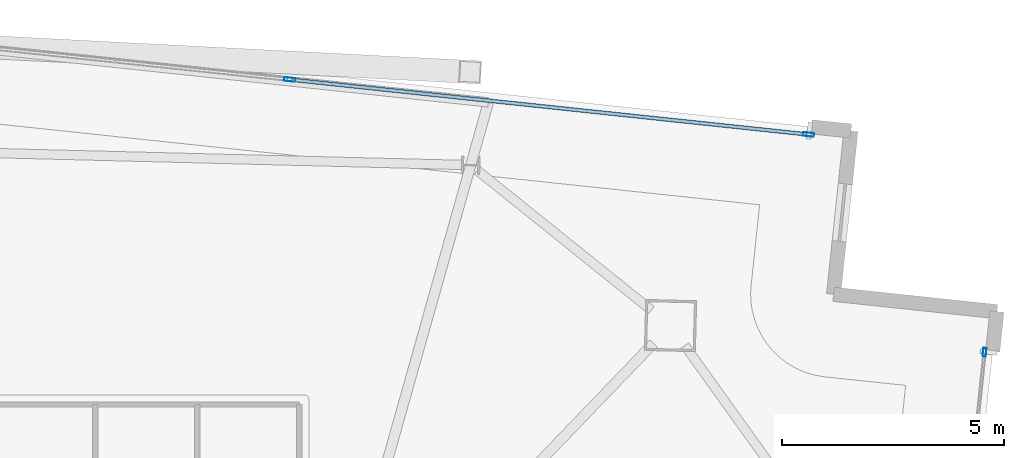
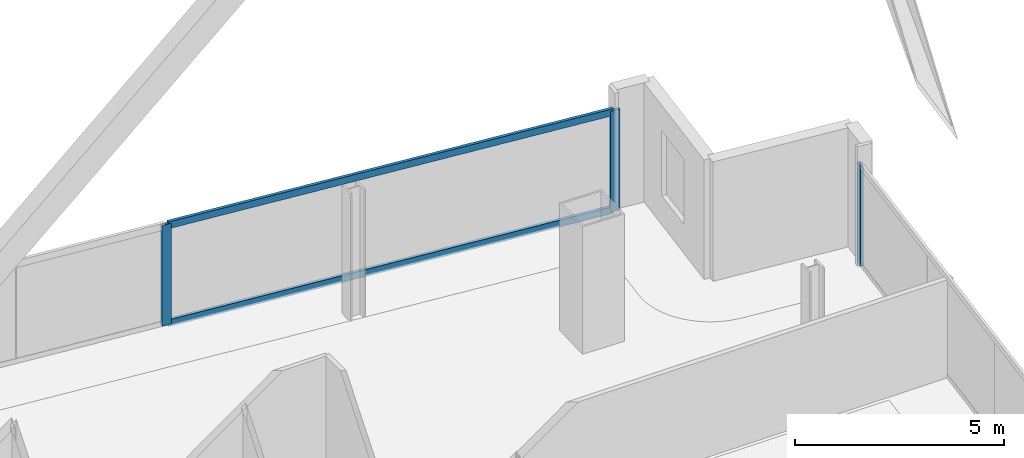
# One storey, part 17 of 24: 5 members, 2 elements without a shape of their own.
"""IFC4 building model written with IfcOpenShell, lengths in metres."""

from ifc_helpers import new_model, si_unit, direction, frame, origin, origin_2d, place, context, subcontext, project, spatial, hollow_rectangle, extrude, material, material_profile, profile_set, type_object, element, aggregate, save


model = new_model("IFC4")

# Units and contexts
model_context = context("Model", 3, precision=1e-05, world=origin(), true_north=direction((0.0, 1.0)))
body_context = subcontext(model_context, "Body", "Model", "MODEL_VIEW")
ifc_project = project(units=[si_unit("LENGTHUNIT", "METRE"), si_unit("AREAUNIT", "SQUARE_METRE"), si_unit("VOLUMEUNIT", "CUBIC_METRE"), si_unit("PLANEANGLEUNIT", "RADIAN"), si_unit("MASSUNIT", "GRAM", prefix="KILO")], contexts=[model_context])

# Site, building, storey
site_placement = place(None, origin())
site = spatial("IfcSite", under=ifc_project, at=site_placement, CompositionType="ELEMENT")
building_placement = place(site_placement, origin())
building = spatial("IfcBuilding", under=site, at=building_placement, Name="Haldenkirk Collegiate Tower", CompositionType="ELEMENT")
storey_placement = place(building_placement, frame((0.0, 0.0, 310.199951171875)))
storey = spatial("IfcBuildingStorey", under=building, at=storey_placement, Name="L78", CompositionType="ELEMENT", Elevation=310.199951171875)

# Curtain wall, member
ifc_material = material(Name="Anodised architectural bronze aluminium", Category="aluminium")
curtain_wall_type_1 = type_object("IfcCurtainWallType", Name="CW-SYS2-CONCAVE", PredefinedType="USERDEFINED", material=ifc_material)
curtain_wall_1_placement = place(storey_placement, origin())
curtain_wall_1 = element("IfcCurtainWall", 1, at=curtain_wall_1_placement, inside=storey, type_object=curtain_wall_type_1, Name="L78 South concave recessed bronze-anodised curtain wall", ObjectType="UNITISED CURTAIN WALL", PredefinedType="USERDEFINED")
ifc_material_profile_1 = material_profile(ifc_material, hollow_rectangle(XDim=0.074951171875, YDim=0.18994140625, WallThickness=0.0048828125, at=origin_2d()), Name="CW-MUL-02")
ifc_profile_set_1 = profile_set([ifc_material_profile_1], Name="Anodised architectural bronze aluminium")
member_type_1 = type_object("IfcMemberType", Name="CW-MUL-02", PredefinedType="MULLION", material=ifc_profile_set_1)
member_1_placement = place(storey_placement, frame((59.889892578125, 41.531005859375, 0.0), z_axis=(0.0, 0.0, 1.0), x_axis=(0.994430496515, -0.105394438184, 0.0)))
member_1 = element("IfcMember", 2, at=member_1_placement, type_object=member_type_1, Name="CW-02 mullion 1", PredefinedType="MULLION", context=body_context, shape_type="SweptSolid", body=[
    extrude(hollow_rectangle(XDim=0.074951171875, YDim=0.18994140625, WallThickness=0.0048828125, at=origin_2d()), origin(), (0.0, 0.0, 1.0), 2.947998046875),
])
aggregate(curtain_wall_1, [member_1])

# Curtain wall, members
curtain_wall_type_2 = type_object("IfcCurtainWallType", Name="CW-SYS1B-CONVEX-HI", PredefinedType="USERDEFINED", material=ifc_material)
curtain_wall_2_placement = place(storey_placement, origin())
curtain_wall_2 = element("IfcCurtainWall", 3, at=curtain_wall_2_placement, inside=storey, type_object=curtain_wall_type_2, Name="L78 Upper tower high-wind convex bronze unitised curtain wall", ObjectType="UNITISED CURTAIN WALL", PredefinedType="USERDEFINED")
ifc_material_profile_2 = material_profile(ifc_material, hollow_rectangle(XDim=0.0849609375, YDim=0.25, WallThickness=0.0048828125, at=origin_2d()), Name="CW-MUL-1B")
ifc_profile_set_2 = profile_set([ifc_material_profile_2], Name="Anodised architectural bronze aluminium")
member_type_2 = type_object("IfcMemberType", Name="CW-MUL-1B", PredefinedType="MULLION", material=ifc_profile_set_2)
member_2_placement = place(storey_placement, frame((44.230224609375, 47.67333984375, 0.0), z_axis=(0.0, 0.0, 1.0), x_axis=(0.10539279234, 0.994430670948, 0.0)))
member_2 = element("IfcMember", 4, at=member_2_placement, type_object=member_type_2, Name="CW-1B mullion 3", PredefinedType="MULLION", context=body_context, shape_type="SweptSolid", body=[
    extrude(hollow_rectangle(XDim=0.0849609375, YDim=0.25, WallThickness=0.0048828125, at=origin_2d()), origin(), (0.0, 0.0, 1.0), 2.947998046875),
])
member_3_placement = place(storey_placement, frame((55.922119140625, 46.43408203125, 0.0), z_axis=(0.0, 0.0, 1.0), x_axis=(0.10539279234, 0.994430670948, 0.0)))
member_3 = element("IfcMember", 5, at=member_3_placement, type_object=member_type_2, Name="CW-1B mullion 4", PredefinedType="MULLION", context=body_context, shape_type="SweptSolid", body=[
    extrude(hollow_rectangle(XDim=0.0849609375, YDim=0.25, WallThickness=0.0048828125, at=origin_2d()), origin(), (0.0, 0.0, 1.0), 2.947998046875),
])
ifc_material_profile_3 = material_profile(ifc_material, hollow_rectangle(XDim=0.0849609375, YDim=0.199951171875, WallThickness=0.0048828125, at=origin_2d()), Name="CW-TRN-1B")
ifc_profile_set_3 = profile_set([ifc_material_profile_3], Name="Anodised architectural bronze aluminium")
member_type_3 = type_object("IfcMemberType", Name="CW-TRN-1B", PredefinedType="USERDEFINED", material=ifc_profile_set_3)
member_4_placement = place(storey_placement, frame((44.2724609375, 47.6689453125, 0.04248046875), z_axis=(0.994430359613, -0.105395729894, 0.0), x_axis=(0.105395729894, 0.994430359613, 0.0)))
member_4 = element("IfcMember", 6, at=member_4_placement, type_object=member_type_3, Name="CW-1B transom 3.1", ObjectType="TRANSOM", PredefinedType="USERDEFINED", context=body_context, shape_type="SweptSolid", body=[
    extrude(hollow_rectangle(XDim=0.0849609375, YDim=0.199951171875, WallThickness=0.0048828125, at=origin_2d()), origin(), (0.0, 0.0, 1.0), 11.67236328125),
])
member_5_placement = place(storey_placement, frame((44.2724609375, 47.6689453125, 2.905517578125), z_axis=(0.994430359613, -0.105395729894, 0.0), x_axis=(0.105395729894, 0.994430359613, 0.0)))
member_5 = element("IfcMember", 7, at=member_5_placement, type_object=member_type_3, Name="CW-1B transom 3.2", ObjectType="TRANSOM", PredefinedType="USERDEFINED", context=body_context, shape_type="SweptSolid", body=[
    extrude(hollow_rectangle(XDim=0.0849609375, YDim=0.199951171875, WallThickness=0.0048828125, at=origin_2d()), origin(), (0.0, 0.0, 1.0), 11.67236328125),
])
aggregate(curtain_wall_2, [member_2, member_3, member_4, member_5])

save(model, "model.ifc")
